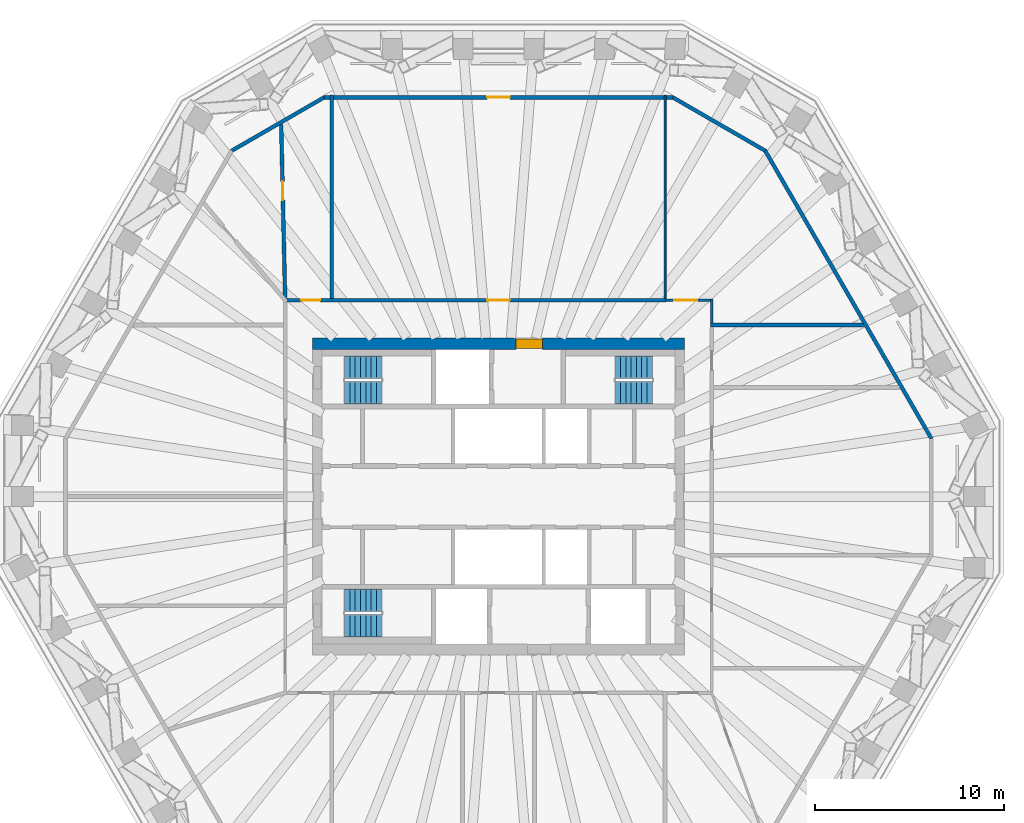
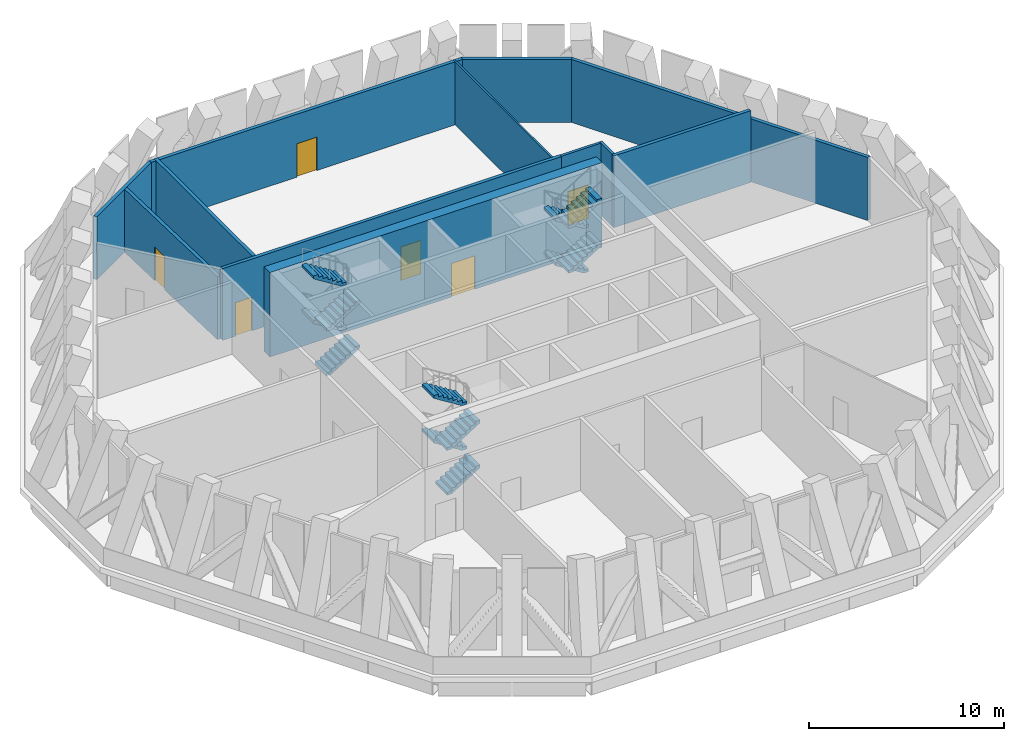
# One storey, part 6 of 8: 12 stair flights, 12 walls, 6 doors, 6 openings, 3 elements without a shape of their own.
"""IFC4 building model written with IfcOpenShell, lengths in metres."""

from ifc_helpers import new_model, si_unit, direction, frame, frame_2d, origin, place, context, subcontext, project, spatial, polyline, rectangle, outline, extrude, material, layer, layer_set, type_object, element, fill, aggregate, save


model = new_model("IFC4")

# Units and contexts
model_context = context("Model", 3, precision=1e-05, world=origin(), true_north=direction((0.0, 1.0)))
body_context = subcontext(model_context, "Body", "Model", "MODEL_VIEW")
ifc_project = project(units=[si_unit("LENGTHUNIT", "METRE"), si_unit("AREAUNIT", "SQUARE_METRE"), si_unit("VOLUMEUNIT", "CUBIC_METRE"), si_unit("PLANEANGLEUNIT", "RADIAN"), si_unit("MASSUNIT", "GRAM", prefix="KILO")], contexts=[model_context])

# Site, building, storey
site_placement = place(None, origin())
site = spatial("IfcSite", under=ifc_project, at=site_placement, CompositionType="ELEMENT")
building_placement = place(site_placement, origin())
building = spatial("IfcBuilding", under=site, at=building_placement, Name="Frailejon Research Tower", CompositionType="ELEMENT")
storey_placement = place(building_placement, frame((0.0, 0.0, 257.39990234375)))
storey = spatial("IfcBuildingStorey", under=building, at=storey_placement, Name="L56", CompositionType="ELEMENT", Elevation=257.39990234375)

# Wall, opening, door
ifc_material_1 = material(Name="Concrete C50/60", Category="concrete")
ifc_layer_1 = layer(ifc_material_1, 0.60009765625)
ifc_layer_set_1 = layer_set([ifc_layer_1], Name="Core shear wall 600 C50/60")
wall_type_1 = type_object("IfcWallType", Name="Core shear wall 600 C50/60", PredefinedType="SHEAR", material=ifc_layer_set_1)
wall_1_placement = place(storey_placement, frame((-9.85009765625, 8.10009765625, 0.0), z_axis=(0.0, 0.0, 1.0), x_axis=(1.0, 0.0, 0.0)))
wall_1 = element("IfcWall", 1, at=wall_1_placement, inside=storey, type_object=wall_type_1, Name="Core shear wall", PredefinedType="SHEAR", context=body_context, shape_type="SweptSolid", body=[
    extrude(rectangle(XDim=19.7001953125, YDim=0.60009765625, at=frame_2d((9.85009765625, 0.0))), origin(), (0.0, 0.0, 1.0), 5.300048828125),
])
opening_1_placement = place(wall_1_placement, frame((10.77490234375, 0.0, 0.0)))
opening_1 = element("IfcOpeningElement", 2, at=opening_1_placement, cuts=wall_1, Name="Opening D9", PredefinedType="OPENING", context=body_context, shape_type="SweptSolid", body=[
    extrude(rectangle(XDim=1.39990234375, YDim=2.10009765625, at=frame_2d((0.699951171875, 1.050048828125))), frame((0.0, 0.31005859375, 0.0), z_axis=(0.0, -1.0, 0.0), x_axis=(1.0, 0.0, 0.0)), (0.0, 0.0, 1.0), 0.6201171875),
])
ifc_material_2 = material(Name="Steel", Category="steel")
door_type_1 = type_object("IfcDoorType", Name="Goods lobby door", OperationType="DOUBLE_DOOR_SINGLE_SWING", PredefinedType="DOOR", material=ifc_material_2)
door_1_placement = place(opening_1_placement, origin())
door_1 = element("IfcDoor", 3, at=door_1_placement, inside=storey, type_object=door_type_1, Name="Goods lobby door", OperationType="DOUBLE_DOOR_SINGLE_SWING", OverallHeight=2.10009765625, OverallWidth=1.39990234375, PredefinedType="DOOR", context=body_context, shape_type="SweptSolid", body=[
    extrude(rectangle(XDim=1.39990234375, YDim=2.10009765625, at=frame_2d((0.699951171875, 1.050048828125))), frame((0.0, 0.25, 0.0), z_axis=(0.0, -1.0, 0.0), x_axis=(1.0, 0.0, 0.0)), (0.0, 0.0, 1.0), 0.5),
])
fill(opening_1, door_1)

ifc_material_3 = material(Name="Gypsum board and masonry partition", Category="masonry")
ifc_layer_2 = layer(ifc_material_3, 0.14990234375)
ifc_layer_set_2 = layer_set([ifc_layer_2], Name="Corridor wall EI 60, gypsum on steel studs 150")
wall_type_2 = type_object("IfcWallType", Name="Corridor wall EI 60, gypsum on steel studs 150", PredefinedType="PARTITIONING", material=ifc_layer_set_2)
wall_2_placement = place(storey_placement, frame((8.879638671875, 10.39990234375, 0.0), z_axis=(0.0, 0.0, 1.0), x_axis=(1.0, 0.0, 0.0)))
wall_2 = element("IfcWall", 4, at=wall_2_placement, inside=storey, type_object=wall_type_2, Name="T:IW:L56:001", PredefinedType="PARTITIONING", context=body_context, shape_type="SweptSolid", body=[
    extrude(rectangle(XDim=2.345458984375, YDim=0.14990234375, at=frame_2d((1.1728515625, 0.0))), origin(), (0.0, 0.0, 1.0), 4.5),
])
opening_2_placement = place(wall_2_placement, frame((0.442626953125, 0.0, 0.0)))
opening_2 = element("IfcOpeningElement", 5, at=opening_2_placement, cuts=wall_2, Name="Opening D1132", PredefinedType="OPENING", context=body_context, shape_type="SweptSolid", body=[
    extrude(rectangle(XDim=1.199951171875, YDim=2.10009765625, at=frame_2d((0.60009765625, 1.050048828125))), frame((0.0, 0.0849609375, 0.0), z_axis=(0.0, -1.0, 0.0), x_axis=(1.0, 0.0, 0.0)), (0.0, 0.0, 1.0), 0.169921875),
])
ifc_material_4 = material(Name="Timber door leaf", Category="wood")
door_type_2 = type_object("IfcDoorType", Name="Door single leaf, timber, steel frame 1200", OperationType="NOTDEFINED", PredefinedType="DOOR", material=ifc_material_4)
door_2_placement = place(opening_2_placement, origin())
door_2 = element("IfcDoor", 6, at=door_2_placement, inside=storey, type_object=door_type_2, Name="D1132", OperationType="DOUBLE_DOOR_SINGLE_SWING", OverallHeight=2.10009765625, OverallWidth=1.199951171875, PredefinedType="DOOR", context=body_context, shape_type="SweptSolid", body=[
    extrude(rectangle(XDim=1.199951171875, YDim=2.10009765625, at=frame_2d((0.60009765625, 1.050048828125))), frame((0.0, 0.02490234375, 0.0), z_axis=(0.0, -1.0, 0.0), x_axis=(1.0, 0.0, 0.0)), (0.0, 0.0, 1.0), 0.050048828125),
])
fill(opening_2, door_2)

# Walls
wall_3_placement = place(storey_placement, frame((11.300048828125, 9.1953125, 0.0), z_axis=(0.0, 0.0, 1.0), x_axis=(0.0, 1.0, 0.0)))
element("IfcWall", 7, at=wall_3_placement, inside=storey, type_object=wall_type_2, Name="T:IW:L56:003", PredefinedType="PARTITIONING", context=body_context, shape_type="SweptSolid", body=[
    extrude(rectangle(XDim=1.27978515625, YDim=0.14990234375, at=frame_2d((0.639892578125, 0.0))), origin(), (0.0, 0.0, 1.0), 4.5),
])
ifc_material_5 = material(Name="Aluminium louvre panel wall", Category="aluminium")
ifc_layer_3 = layer(ifc_material_5, 0.199951171875)
ifc_layer_set_3 = layer_set([ifc_layer_3], Name="Louvred plant wall 200")
wall_type_3 = type_object("IfcWallType", Name="Louvred plant wall 200", PredefinedType="SOLIDWALL", material=ifc_layer_set_3)
wall_4_placement = place(storey_placement, frame((22.934326171875, 3.076416015625, 0.0), z_axis=(0.0, 0.0, 1.0), x_axis=(-0.499992938033, 0.866029480975, 0.0)))
element("IfcWall", 8, at=wall_4_placement, inside=storey, type_object=wall_type_3, Name="Plant louvre wall L56", PredefinedType="SOLIDWALL", context=body_context, shape_type="SweptSolid", body=[
    extrude(outline(polyline([(-0.02685546875, -0.10009765625), (17.632568359375, -0.10009765625), (17.578857421875, 0.10009765625), (0.02685546875, 0.10009765625), (-0.02685546875, -0.10009765625)])), origin(), (0.0, 0.0, 1.0), 3.9501953125),
])
wall_5_placement = place(storey_placement, frame((14.131591796875, 18.323486328125, 0.0), z_axis=(0.0, 0.0, 1.0), x_axis=(-0.866036716508, 0.499980405277, 0.0)))
element("IfcWall", 9, at=wall_5_placement, inside=storey, type_object=wall_type_3, Name="Plant louvre wall L56", PredefinedType="SOLIDWALL", context=body_context, shape_type="SweptSolid", body=[
    extrude(outline(polyline([(-0.02685546875, -0.10009765625), (5.679931640625, -0.10009765625), (5.626220703125, 0.10009765625), (0.02685546875, 0.10009765625), (-0.02685546875, -0.10009765625)])), origin(), (0.0, 0.0, 1.0), 3.9501953125),
])

# Wall, opening, door
wall_6_placement = place(storey_placement, frame((9.23583984375, 21.14990234375, 0.0), z_axis=(0.0, 0.0, 1.0), x_axis=(-1.0, 0.0, 0.0)))
wall_6 = element("IfcWall", 10, at=wall_6_placement, inside=storey, type_object=wall_type_3, Name="Plant louvre wall L56", PredefinedType="SOLIDWALL", context=body_context, shape_type="SweptSolid", body=[
    extrude(outline(polyline([(-0.02685546875, -0.10009765625), (18.49853515625, -0.10009765625), (18.44482421875, 0.10009765625), (0.02685546875, 0.10009765625), (-0.02685546875, -0.10009765625)])), origin(), (0.0, 0.0, 1.0), 3.9501953125),
])
opening_3_placement = place(wall_6_placement, frame((8.635986328125, 0.0, 0.0)))
opening_3 = element("IfcOpeningElement", 11, at=opening_3_placement, cuts=wall_6, Name="Opening PG56-1", PredefinedType="OPENING", context=body_context, shape_type="SweptSolid", body=[
    extrude(rectangle(XDim=1.199951171875, YDim=2.10009765625, at=frame_2d((0.60009765625, 1.050048828125))), frame((0.0, 0.10986328125, 0.0), z_axis=(0.0, -1.0, 0.0), x_axis=(1.0, 0.0, 0.0)), (0.0, 0.0, 1.0), 0.219970703125),
])
ifc_material_6 = material(Name="Steel door leaf", Category="steel")
door_type_3 = type_object("IfcDoorType", Name="Plant gallery door 1200x2100", OperationType="SINGLE_SWING_RIGHT", PredefinedType="DOOR", material=ifc_material_6)
door_3_placement = place(opening_3_placement, origin())
door_3 = element("IfcDoor", 12, at=door_3_placement, inside=storey, type_object=door_type_3, Name="Door PG56-1", OperationType="SINGLE_SWING_RIGHT", OverallHeight=2.10009765625, OverallWidth=1.199951171875, PredefinedType="DOOR", context=body_context, shape_type="SweptSolid", body=[
    extrude(rectangle(XDim=1.199951171875, YDim=2.10009765625, at=frame_2d((0.60009765625, 1.050048828125))), frame((0.0, 0.02490234375, 0.0), z_axis=(0.0, -1.0, 0.0), x_axis=(1.0, 0.0, 0.0)), (0.0, 0.0, 1.0), 0.050048828125),
])
fill(opening_3, door_3)

# Walls
wall_7_placement = place(storey_placement, frame((-9.23583984375, 21.14990234375, 0.0), z_axis=(0.0, 0.0, 1.0), x_axis=(-0.866036716508, -0.499980405277, 0.0)))
element("IfcWall", 13, at=wall_7_placement, inside=storey, type_object=wall_type_3, Name="Plant louvre wall L56", PredefinedType="SOLIDWALL", context=body_context, shape_type="SweptSolid", body=[
    extrude(outline(polyline([(-0.02685546875, -0.10009765625), (5.679931640625, -0.10009765625), (5.626220703125, 0.10009765625), (0.02685546875, 0.10009765625), (-0.02685546875, -0.10009765625)])), origin(), (0.0, 0.0, 1.0), 3.9501953125),
])
ifc_material_7 = material(Name="Gypsum board and masonry partition", Category="masonry")
ifc_layer_4 = layer(ifc_material_7, 0.10009765625)
ifc_layer_set_4 = layer_set([ifc_layer_4], Name="Partition, gypsum on steel studs 100")
wall_type_4 = type_object("IfcWallType", Name="Partition, gypsum on steel studs 100", PredefinedType="PARTITIONING", material=ifc_layer_set_4)
wall_8_placement = place(storey_placement, frame((8.82958984375, 10.5, 0.0), z_axis=(0.0, 0.0, 1.0), x_axis=(0.0, 1.0, 0.0)))
element("IfcWall", 14, at=wall_8_placement, inside=storey, type_object=wall_type_4, Name="T:IW:L56:008", PredefinedType="PARTITIONING", context=body_context, shape_type="SweptSolid", body=[
    extrude(rectangle(XDim=10.76904296875, YDim=0.10009765625, at=frame_2d((5.384521484375, 0.0))), origin(), (0.0, 0.0, 1.0), 3.9501953125),
])

# Wall, openings, doors
ifc_material_8 = material(Name="Gypsum board and masonry partition", Category="masonry")
ifc_layer_5 = layer(ifc_material_8, 0.199951171875)
ifc_layer_set_5 = layer_set([ifc_layer_5], Name="Plant enclosure wall, blockwork 200")
wall_type_5 = type_object("IfcWallType", Name="Plant enclosure wall, blockwork 200", PredefinedType="PARTITIONING", material=ifc_layer_set_5)
wall_9_placement = place(storey_placement, frame((-11.199951171875, 10.39990234375, 0.0), z_axis=(0.0, 0.0, 1.0), x_axis=(1.0, 0.0, 0.0)))
wall_9 = element("IfcWall", 15, at=wall_9_placement, inside=storey, type_object=wall_type_5, Name="T:IW:L56:011", PredefinedType="PARTITIONING", context=body_context, shape_type="SweptSolid", body=[
    extrude(rectangle(XDim=20.07958984375, YDim=0.199951171875, at=frame_2d((10.039794921875, 0.0))), origin(), (0.0, 0.0, 1.0), 4.5),
])
opening_4_placement = place(wall_9_placement, frame((10.60009765625, 0.0, 0.0)))
opening_4 = element("IfcOpeningElement", 16, at=opening_4_placement, cuts=wall_9, Name="Opening D1133", PredefinedType="OPENING", context=body_context, shape_type="SweptSolid", body=[
    extrude(rectangle(XDim=1.199951171875, YDim=2.10009765625, at=frame_2d((0.60009765625, 1.050048828125))), frame((0.0, 0.10986328125, 0.0), z_axis=(0.0, -1.0, 0.0), x_axis=(1.0, 0.0, 0.0)), (0.0, 0.0, 1.0), 0.219970703125),
])
opening_5_placement = place(wall_9_placement, frame((0.750732421875, 0.0, 0.0)))
opening_5 = element("IfcOpeningElement", 17, at=opening_5_placement, cuts=wall_9, Name="Opening D1134", PredefinedType="OPENING", context=body_context, shape_type="SweptSolid", body=[
    extrude(rectangle(XDim=1.0, YDim=2.10009765625, at=frame_2d((0.5, 1.050048828125))), frame((0.0, 0.10986328125, 0.0), z_axis=(0.0, -1.0, 0.0), x_axis=(1.0, 0.0, 0.0)), (0.0, 0.0, 1.0), 0.219970703125),
])
ifc_material_9 = material(Name="Steel door leaf", Category="steel")
door_type_4 = type_object("IfcDoorType", Name="Door plant room, steel 1000", OperationType="NOTDEFINED", PredefinedType="DOOR", material=ifc_material_9)
door_4_placement = place(opening_5_placement, origin())
door_4 = element("IfcDoor", 18, at=door_4_placement, inside=storey, type_object=door_type_4, Name="D1134", OperationType="SINGLE_SWING_RIGHT", OverallHeight=2.10009765625, OverallWidth=1.0, PredefinedType="DOOR", context=body_context, shape_type="SweptSolid", body=[
    extrude(rectangle(XDim=1.0, YDim=2.10009765625, at=frame_2d((0.5, 1.050048828125))), frame((0.0, 0.02490234375, 0.0), z_axis=(0.0, -1.0, 0.0), x_axis=(1.0, 0.0, 0.0)), (0.0, 0.0, 1.0), 0.050048828125),
])
fill(opening_5, door_4)
ifc_material_10 = material(Name="Steel door leaf", Category="steel")
door_type_5 = type_object("IfcDoorType", Name="Door plant room, steel 1200", OperationType="NOTDEFINED", PredefinedType="DOOR", material=ifc_material_10)
door_5_placement = place(opening_4_placement, origin())
door_5 = element("IfcDoor", 19, at=door_5_placement, inside=storey, type_object=door_type_5, Name="D1133", OperationType="DOUBLE_DOOR_SINGLE_SWING", OverallHeight=2.10009765625, OverallWidth=1.199951171875, PredefinedType="DOOR", context=body_context, shape_type="SweptSolid", body=[
    extrude(rectangle(XDim=1.199951171875, YDim=2.10009765625, at=frame_2d((0.60009765625, 1.050048828125))), frame((0.0, 0.02490234375, 0.0), z_axis=(0.0, -1.0, 0.0), x_axis=(1.0, 0.0, 0.0)), (0.0, 0.0, 1.0), 0.050048828125),
])
fill(opening_4, door_5)

# Walls
wall_10_placement = place(storey_placement, frame((11.22509765625, 9.09521484375, 0.0), z_axis=(0.0, 0.0, 1.0), x_axis=(1.0, 0.0, 0.0)))
element("IfcWall", 20, at=wall_10_placement, inside=storey, type_object=wall_type_5, Name="T:IW:L56:018", PredefinedType="PARTITIONING", context=body_context, shape_type="SweptSolid", body=[
    extrude(rectangle(XDim=8.118896484375, YDim=0.199951171875, at=frame_2d((4.0595703125, 0.0))), origin(), (0.0, 0.0, 1.0), 4.5),
])
wall_11_placement = place(storey_placement, frame((-8.82958984375, 10.5, 0.0), z_axis=(0.0, 0.0, 1.0), x_axis=(0.0, 1.0, 0.0)))
element("IfcWall", 21, at=wall_11_placement, inside=storey, type_object=wall_type_5, Name="T:IW:L56:020", PredefinedType="PARTITIONING", context=body_context, shape_type="SweptSolid", body=[
    extrude(rectangle(XDim=10.76904296875, YDim=0.199951171875, at=frame_2d((5.384521484375, 0.0))), origin(), (0.0, 0.0, 1.0), 3.9501953125),
])

# Wall, opening, door
wall_12_placement = place(storey_placement, frame((-11.511962890625, 19.720458984375, 0.0), z_axis=(0.0, 0.0, 1.0), x_axis=(0.022738843333, -0.999741439075, 0.0)))
wall_12 = element("IfcWall", 22, at=wall_12_placement, inside=storey, type_object=wall_type_5, Name="T:IW:L56:021", PredefinedType="PARTITIONING", context=body_context, shape_type="SweptSolid", body=[
    extrude(rectangle(XDim=9.222900390625, YDim=0.199951171875, at=frame_2d((4.611328125, 0.0))), origin(), (0.0, 0.0, 1.0), 3.9501953125),
])
opening_6_placement = place(wall_12_placement, frame((3.01806640625, 0.0, 0.0)))
opening_6 = element("IfcOpeningElement", 23, at=opening_6_placement, cuts=wall_12, Name="Opening D1135", PredefinedType="OPENING", context=body_context, shape_type="SweptSolid", body=[
    extrude(rectangle(XDim=1.0, YDim=2.10009765625, at=frame_2d((0.5, 1.050048828125))), frame((0.0, 0.10986328125, 0.0), z_axis=(0.0, -1.0, 0.0), x_axis=(1.0, 0.0, 0.0)), (0.0, 0.0, 1.0), 0.219970703125),
])
door_6_placement = place(opening_6_placement, origin())
door_6 = element("IfcDoor", 24, at=door_6_placement, inside=storey, type_object=door_type_4, Name="D1135", OperationType="SINGLE_SWING_LEFT", OverallHeight=2.10009765625, OverallWidth=1.0, PredefinedType="DOOR", context=body_context, shape_type="SweptSolid", body=[
    extrude(rectangle(XDim=1.0, YDim=2.10009765625, at=frame_2d((0.5, 1.050048828125))), frame((0.0, 0.02490234375, 0.0), z_axis=(0.0, -1.0, 0.0), x_axis=(1.0, 0.0, 0.0)), (0.0, 0.0, 1.0), 0.050048828125),
])
fill(opening_6, door_6)

# Stair, stair flights
ifc_material_11 = material(Name="Concrete C50/60", Category="concrete")
stair_type = type_object("IfcStairType", Name="Exit stair 32 risers", PredefinedType="HALF_TURN_STAIR", material=ifc_material_11)
stair_1_placement = place(storey_placement, origin())
stair_1 = element("IfcStair", 25, at=stair_1_placement, inside=storey, type_object=stair_type, Name="L56 Exit stair ST1", PredefinedType="HALF_TURN_STAIR")
ifc_material_12 = material(Name="Concrete C50/60", Category="concrete")
ifc_layer_6 = layer(ifc_material_12, 0.14990234375)
ifc_layer_set_6 = layer_set([ifc_layer_6], Name="Stair flight 8 risers")
stair_flight_type = type_object("IfcStairFlightType", Name="Stair flight 8 risers", PredefinedType="STRAIGHT", material=ifc_layer_set_6)
stair_flight_1_placement = place(storey_placement, frame((-8.14990234375, 5.5, 0.0), z_axis=(0.0, 0.0, 1.0), x_axis=(1.0, 0.0, 0.0)))
stair_flight_1 = element("IfcStairFlight", 26, at=stair_flight_1_placement, type_object=stair_flight_type, Name="ST1 flight 1", NumberOfRisers=8, NumberOfTreads=7, PredefinedType="STRAIGHT", RiserHeight=0.175, TreadLength=0.28, context=body_context, shape_type="SweptSolid", body=[
    extrude(outline(polyline([(0.0, 0.0), (0.0, 0.175048828125), (0.280029296875, 0.175048828125), (0.280029296875, 0.35009765625), (0.56005859375, 0.35009765625), (0.56005859375, 0.52490234375), (0.840087890625, 0.52490234375), (0.840087890625, 0.699951171875), (1.1201171875, 0.699951171875), (1.1201171875, 0.875), (1.39990234375, 0.875), (1.39990234375, 1.050048828125), (1.679931640625, 1.050048828125), (1.679931640625, 1.22509765625), (1.9599609375, 1.22509765625), (1.9599609375, 1.39990234375), (1.9599609375, 1.04833984375), (0.28271484375, 0.0), (0.0, 0.0)])), frame((0.0, 0.60009765625, 0.0), z_axis=(0.0, -1.0, 0.0), x_axis=(1.0, 0.0, 0.0)), (0.0, 0.0, 1.0), 1.199951171875),
])
stair_flight_2_placement = place(storey_placement, frame((-6.18994140625, 6.85009765625, 1.400146484375), z_axis=(0.0, 0.0, 1.0), x_axis=(-1.0, 0.0, 0.0)))
stair_flight_2 = element("IfcStairFlight", 27, at=stair_flight_2_placement, type_object=stair_flight_type, Name="ST1 flight 2", NumberOfRisers=8, NumberOfTreads=7, PredefinedType="STRAIGHT", RiserHeight=0.175, TreadLength=0.28, context=body_context, shape_type="SweptSolid", body=[
    extrude(outline(polyline([(0.0, 0.0), (0.0, 0.175048828125), (0.280029296875, 0.175048828125), (0.280029296875, 0.35009765625), (0.56005859375, 0.35009765625), (0.56005859375, 0.52490234375), (0.840087890625, 0.52490234375), (0.840087890625, 0.699951171875), (1.1201171875, 0.699951171875), (1.1201171875, 0.875), (1.39990234375, 0.875), (1.39990234375, 1.050048828125), (1.679931640625, 1.050048828125), (1.679931640625, 1.22509765625), (1.9599609375, 1.22509765625), (1.9599609375, 1.39990234375), (1.9599609375, 1.04833984375), (0.28271484375, 0.0), (0.0, 0.0)])), frame((0.0, 0.60009765625, 0.0), z_axis=(0.0, -1.0, 0.0), x_axis=(1.0, 0.0, 0.0)), (0.0, 0.0, 1.0), 1.199951171875),
])
stair_flight_3_placement = place(storey_placement, frame((-8.14990234375, 5.5, 2.800048828125), z_axis=(0.0, 0.0, 1.0), x_axis=(1.0, 0.0, 0.0)))
stair_flight_3 = element("IfcStairFlight", 28, at=stair_flight_3_placement, type_object=stair_flight_type, Name="ST1 flight 3", NumberOfRisers=8, NumberOfTreads=7, PredefinedType="STRAIGHT", RiserHeight=0.175, TreadLength=0.28, context=body_context, shape_type="SweptSolid", body=[
    extrude(outline(polyline([(0.0, 0.0), (0.0, 0.175048828125), (0.280029296875, 0.175048828125), (0.280029296875, 0.35009765625), (0.56005859375, 0.35009765625), (0.56005859375, 0.52490234375), (0.840087890625, 0.52490234375), (0.840087890625, 0.699951171875), (1.1201171875, 0.699951171875), (1.1201171875, 0.875), (1.39990234375, 0.875), (1.39990234375, 1.050048828125), (1.679931640625, 1.050048828125), (1.679931640625, 1.22509765625), (1.9599609375, 1.22509765625), (1.9599609375, 1.39990234375), (1.9599609375, 1.04833984375), (0.28271484375, 0.0), (0.0, 0.0)])), frame((0.0, 0.60009765625, 0.0), z_axis=(0.0, -1.0, 0.0), x_axis=(1.0, 0.0, 0.0)), (0.0, 0.0, 1.0), 1.199951171875),
])
stair_flight_4_placement = place(storey_placement, frame((-6.18994140625, 6.85009765625, 4.2001953125), z_axis=(0.0, 0.0, 1.0), x_axis=(-1.0, 0.0, 0.0)))
stair_flight_4 = element("IfcStairFlight", 29, at=stair_flight_4_placement, type_object=stair_flight_type, Name="ST1 flight 4", NumberOfRisers=8, NumberOfTreads=7, PredefinedType="STRAIGHT", RiserHeight=0.175, TreadLength=0.28, context=body_context, shape_type="SweptSolid", body=[
    extrude(outline(polyline([(0.0, 0.0), (0.0, 0.175048828125), (0.280029296875, 0.175048828125), (0.280029296875, 0.35009765625), (0.56005859375, 0.35009765625), (0.56005859375, 0.52490234375), (0.840087890625, 0.52490234375), (0.840087890625, 0.699951171875), (1.1201171875, 0.699951171875), (1.1201171875, 0.875), (1.39990234375, 0.875), (1.39990234375, 1.050048828125), (1.679931640625, 1.050048828125), (1.679931640625, 1.22509765625), (1.9599609375, 1.22509765625), (1.9599609375, 1.39990234375), (1.9599609375, 1.04833984375), (0.28271484375, 0.0), (0.0, 0.0)])), frame((0.0, 0.60009765625, 0.0), z_axis=(0.0, -1.0, 0.0), x_axis=(1.0, 0.0, 0.0)), (0.0, 0.0, 1.0), 1.199951171875),
])
aggregate(stair_1, [stair_flight_1, stair_flight_2, stair_flight_3, stair_flight_4])

stair_2_placement = place(storey_placement, origin())
stair_2 = element("IfcStair", 30, at=stair_2_placement, inside=storey, type_object=stair_type, Name="L56 Exit stair ST2", PredefinedType="HALF_TURN_STAIR")
stair_flight_5_placement = place(storey_placement, frame((-8.14990234375, -6.85009765625, 0.0), z_axis=(0.0, 0.0, 1.0), x_axis=(1.0, 0.0, 0.0)))
stair_flight_5 = element("IfcStairFlight", 31, at=stair_flight_5_placement, type_object=stair_flight_type, Name="ST2 flight 1", NumberOfRisers=8, NumberOfTreads=7, PredefinedType="STRAIGHT", RiserHeight=0.175, TreadLength=0.28, context=body_context, shape_type="SweptSolid", body=[
    extrude(outline(polyline([(0.0, 0.0), (0.0, 0.175048828125), (0.280029296875, 0.175048828125), (0.280029296875, 0.35009765625), (0.56005859375, 0.35009765625), (0.56005859375, 0.52490234375), (0.840087890625, 0.52490234375), (0.840087890625, 0.699951171875), (1.1201171875, 0.699951171875), (1.1201171875, 0.875), (1.39990234375, 0.875), (1.39990234375, 1.050048828125), (1.679931640625, 1.050048828125), (1.679931640625, 1.22509765625), (1.9599609375, 1.22509765625), (1.9599609375, 1.39990234375), (1.9599609375, 1.04833984375), (0.28271484375, 0.0), (0.0, 0.0)])), frame((0.0, 0.60009765625, 0.0), z_axis=(0.0, -1.0, 0.0), x_axis=(1.0, 0.0, 0.0)), (0.0, 0.0, 1.0), 1.199951171875),
])
stair_flight_6_placement = place(storey_placement, frame((-6.18994140625, -5.5, 1.400146484375), z_axis=(0.0, 0.0, 1.0), x_axis=(-1.0, 0.0, 0.0)))
stair_flight_6 = element("IfcStairFlight", 32, at=stair_flight_6_placement, type_object=stair_flight_type, Name="ST2 flight 2", NumberOfRisers=8, NumberOfTreads=7, PredefinedType="STRAIGHT", RiserHeight=0.175, TreadLength=0.28, context=body_context, shape_type="SweptSolid", body=[
    extrude(outline(polyline([(0.0, 0.0), (0.0, 0.175048828125), (0.280029296875, 0.175048828125), (0.280029296875, 0.35009765625), (0.56005859375, 0.35009765625), (0.56005859375, 0.52490234375), (0.840087890625, 0.52490234375), (0.840087890625, 0.699951171875), (1.1201171875, 0.699951171875), (1.1201171875, 0.875), (1.39990234375, 0.875), (1.39990234375, 1.050048828125), (1.679931640625, 1.050048828125), (1.679931640625, 1.22509765625), (1.9599609375, 1.22509765625), (1.9599609375, 1.39990234375), (1.9599609375, 1.04833984375), (0.28271484375, 0.0), (0.0, 0.0)])), frame((0.0, 0.60009765625, 0.0), z_axis=(0.0, -1.0, 0.0), x_axis=(1.0, 0.0, 0.0)), (0.0, 0.0, 1.0), 1.199951171875),
])
stair_flight_7_placement = place(storey_placement, frame((-8.14990234375, -6.85009765625, 2.800048828125), z_axis=(0.0, 0.0, 1.0), x_axis=(1.0, 0.0, 0.0)))
stair_flight_7 = element("IfcStairFlight", 33, at=stair_flight_7_placement, type_object=stair_flight_type, Name="ST2 flight 3", NumberOfRisers=8, NumberOfTreads=7, PredefinedType="STRAIGHT", RiserHeight=0.175, TreadLength=0.28, context=body_context, shape_type="SweptSolid", body=[
    extrude(outline(polyline([(0.0, 0.0), (0.0, 0.175048828125), (0.280029296875, 0.175048828125), (0.280029296875, 0.35009765625), (0.56005859375, 0.35009765625), (0.56005859375, 0.52490234375), (0.840087890625, 0.52490234375), (0.840087890625, 0.699951171875), (1.1201171875, 0.699951171875), (1.1201171875, 0.875), (1.39990234375, 0.875), (1.39990234375, 1.050048828125), (1.679931640625, 1.050048828125), (1.679931640625, 1.22509765625), (1.9599609375, 1.22509765625), (1.9599609375, 1.39990234375), (1.9599609375, 1.04833984375), (0.28271484375, 0.0), (0.0, 0.0)])), frame((0.0, 0.60009765625, 0.0), z_axis=(0.0, -1.0, 0.0), x_axis=(1.0, 0.0, 0.0)), (0.0, 0.0, 1.0), 1.199951171875),
])
stair_flight_8_placement = place(storey_placement, frame((-6.18994140625, -5.5, 4.2001953125), z_axis=(0.0, 0.0, 1.0), x_axis=(-1.0, 0.0, 0.0)))
stair_flight_8 = element("IfcStairFlight", 34, at=stair_flight_8_placement, type_object=stair_flight_type, Name="ST2 flight 4", NumberOfRisers=8, NumberOfTreads=7, PredefinedType="STRAIGHT", RiserHeight=0.175, TreadLength=0.28, context=body_context, shape_type="SweptSolid", body=[
    extrude(outline(polyline([(0.0, 0.0), (0.0, 0.175048828125), (0.280029296875, 0.175048828125), (0.280029296875, 0.35009765625), (0.56005859375, 0.35009765625), (0.56005859375, 0.52490234375), (0.840087890625, 0.52490234375), (0.840087890625, 0.699951171875), (1.1201171875, 0.699951171875), (1.1201171875, 0.875), (1.39990234375, 0.875), (1.39990234375, 1.050048828125), (1.679931640625, 1.050048828125), (1.679931640625, 1.22509765625), (1.9599609375, 1.22509765625), (1.9599609375, 1.39990234375), (1.9599609375, 1.04833984375), (0.28271484375, 0.0), (0.0, 0.0)])), frame((0.0, 0.60009765625, 0.0), z_axis=(0.0, -1.0, 0.0), x_axis=(1.0, 0.0, 0.0)), (0.0, 0.0, 1.0), 1.199951171875),
])
aggregate(stair_2, [stair_flight_5, stair_flight_6, stair_flight_7, stair_flight_8])

stair_3_placement = place(storey_placement, origin())
stair_3 = element("IfcStair", 35, at=stair_3_placement, inside=storey, type_object=stair_type, Name="L56 Exit stair ST3", PredefinedType="HALF_TURN_STAIR")
stair_flight_9_placement = place(storey_placement, frame((8.14990234375, 6.85009765625, 0.0), z_axis=(0.0, 0.0, 1.0), x_axis=(-1.0, 0.0, 0.0)))
stair_flight_9 = element("IfcStairFlight", 36, at=stair_flight_9_placement, type_object=stair_flight_type, Name="ST3 flight 1", NumberOfRisers=8, NumberOfTreads=7, PredefinedType="STRAIGHT", RiserHeight=0.175, TreadLength=0.28, context=body_context, shape_type="SweptSolid", body=[
    extrude(outline(polyline([(0.0, 0.0), (0.0, 0.175048828125), (0.280029296875, 0.175048828125), (0.280029296875, 0.35009765625), (0.56005859375, 0.35009765625), (0.56005859375, 0.52490234375), (0.840087890625, 0.52490234375), (0.840087890625, 0.699951171875), (1.1201171875, 0.699951171875), (1.1201171875, 0.875), (1.39990234375, 0.875), (1.39990234375, 1.050048828125), (1.679931640625, 1.050048828125), (1.679931640625, 1.22509765625), (1.9599609375, 1.22509765625), (1.9599609375, 1.39990234375), (1.9599609375, 1.04833984375), (0.28271484375, 0.0), (0.0, 0.0)])), frame((0.0, 0.60009765625, 0.0), z_axis=(0.0, -1.0, 0.0), x_axis=(1.0, 0.0, 0.0)), (0.0, 0.0, 1.0), 1.199951171875),
])
stair_flight_10_placement = place(storey_placement, frame((6.18994140625, 5.5, 1.400146484375), z_axis=(0.0, 0.0, 1.0), x_axis=(1.0, 0.0, 0.0)))
stair_flight_10 = element("IfcStairFlight", 37, at=stair_flight_10_placement, type_object=stair_flight_type, Name="ST3 flight 2", NumberOfRisers=8, NumberOfTreads=7, PredefinedType="STRAIGHT", RiserHeight=0.175, TreadLength=0.28, context=body_context, shape_type="SweptSolid", body=[
    extrude(outline(polyline([(0.0, 0.0), (0.0, 0.175048828125), (0.280029296875, 0.175048828125), (0.280029296875, 0.35009765625), (0.56005859375, 0.35009765625), (0.56005859375, 0.52490234375), (0.840087890625, 0.52490234375), (0.840087890625, 0.699951171875), (1.1201171875, 0.699951171875), (1.1201171875, 0.875), (1.39990234375, 0.875), (1.39990234375, 1.050048828125), (1.679931640625, 1.050048828125), (1.679931640625, 1.22509765625), (1.9599609375, 1.22509765625), (1.9599609375, 1.39990234375), (1.9599609375, 1.04833984375), (0.28271484375, 0.0), (0.0, 0.0)])), frame((0.0, 0.60009765625, 0.0), z_axis=(0.0, -1.0, 0.0), x_axis=(1.0, 0.0, 0.0)), (0.0, 0.0, 1.0), 1.199951171875),
])
stair_flight_11_placement = place(storey_placement, frame((8.14990234375, 6.85009765625, 2.800048828125), z_axis=(0.0, 0.0, 1.0), x_axis=(-1.0, 0.0, 0.0)))
stair_flight_11 = element("IfcStairFlight", 38, at=stair_flight_11_placement, type_object=stair_flight_type, Name="ST3 flight 3", NumberOfRisers=8, NumberOfTreads=7, PredefinedType="STRAIGHT", RiserHeight=0.175, TreadLength=0.28, context=body_context, shape_type="SweptSolid", body=[
    extrude(outline(polyline([(0.0, 0.0), (0.0, 0.175048828125), (0.280029296875, 0.175048828125), (0.280029296875, 0.35009765625), (0.56005859375, 0.35009765625), (0.56005859375, 0.52490234375), (0.840087890625, 0.52490234375), (0.840087890625, 0.699951171875), (1.1201171875, 0.699951171875), (1.1201171875, 0.875), (1.39990234375, 0.875), (1.39990234375, 1.050048828125), (1.679931640625, 1.050048828125), (1.679931640625, 1.22509765625), (1.9599609375, 1.22509765625), (1.9599609375, 1.39990234375), (1.9599609375, 1.04833984375), (0.28271484375, 0.0), (0.0, 0.0)])), frame((0.0, 0.60009765625, 0.0), z_axis=(0.0, -1.0, 0.0), x_axis=(1.0, 0.0, 0.0)), (0.0, 0.0, 1.0), 1.199951171875),
])
stair_flight_12_placement = place(storey_placement, frame((6.18994140625, 5.5, 4.2001953125), z_axis=(0.0, 0.0, 1.0), x_axis=(1.0, 0.0, 0.0)))
stair_flight_12 = element("IfcStairFlight", 39, at=stair_flight_12_placement, type_object=stair_flight_type, Name="ST3 flight 4", NumberOfRisers=8, NumberOfTreads=7, PredefinedType="STRAIGHT", RiserHeight=0.175, TreadLength=0.28, context=body_context, shape_type="SweptSolid", body=[
    extrude(outline(polyline([(0.0, 0.0), (0.0, 0.175048828125), (0.280029296875, 0.175048828125), (0.280029296875, 0.35009765625), (0.56005859375, 0.35009765625), (0.56005859375, 0.52490234375), (0.840087890625, 0.52490234375), (0.840087890625, 0.699951171875), (1.1201171875, 0.699951171875), (1.1201171875, 0.875), (1.39990234375, 0.875), (1.39990234375, 1.050048828125), (1.679931640625, 1.050048828125), (1.679931640625, 1.22509765625), (1.9599609375, 1.22509765625), (1.9599609375, 1.39990234375), (1.9599609375, 1.04833984375), (0.28271484375, 0.0), (0.0, 0.0)])), frame((0.0, 0.60009765625, 0.0), z_axis=(0.0, -1.0, 0.0), x_axis=(1.0, 0.0, 0.0)), (0.0, 0.0, 1.0), 1.199951171875),
])
aggregate(stair_3, [stair_flight_9, stair_flight_10, stair_flight_11, stair_flight_12])

save(model, "model.ifc")
